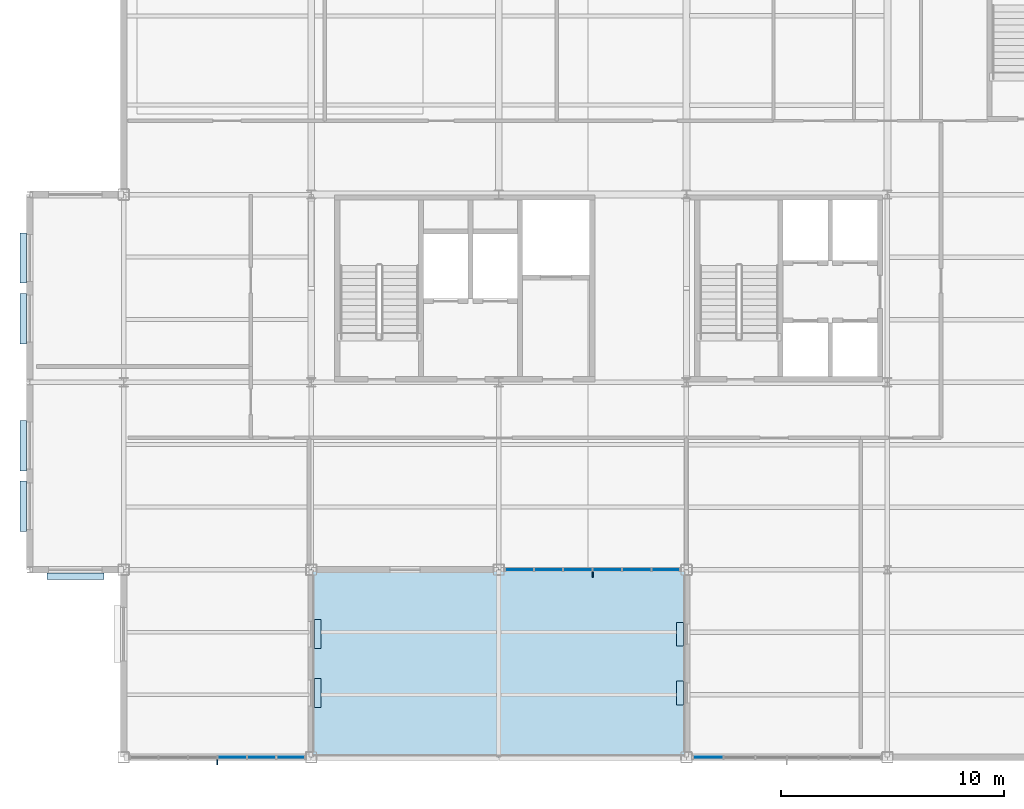
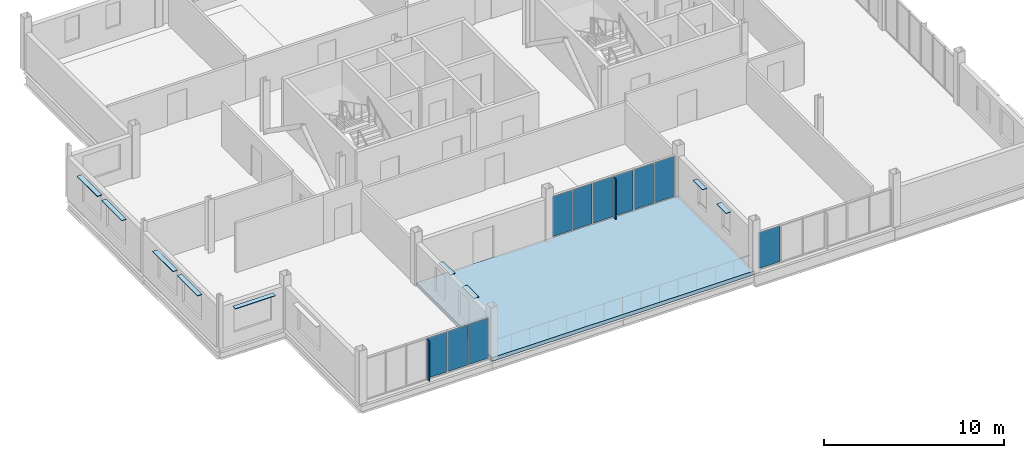
# One storey, part 10 of 20: 21 plates, 1 slab, 3 elements without a shape of their own.
"""IFC4 building model written with IfcOpenShell, lengths in metres."""

from ifc_helpers import new_model, si_unit, direction, frame, origin, origin_2d, place, context, subcontext, project, spatial, polyline, rectangle, outline, extrude, material, layer, layer_set, type_object, element, aggregate, save


model = new_model("IFC4")

# Units and contexts
model_context = context("Model", 3, precision=1e-05, world=origin(), true_north=direction((0.0, 1.0)))
body_context = subcontext(model_context, "Body", "Model", "MODEL_VIEW")
ifc_project = project(units=[si_unit("LENGTHUNIT", "METRE"), si_unit("AREAUNIT", "SQUARE_METRE"), si_unit("VOLUMEUNIT", "CUBIC_METRE"), si_unit("PLANEANGLEUNIT", "RADIAN"), si_unit("MASSUNIT", "GRAM", prefix="KILO")], contexts=[model_context])

# Site, building, storey
site_placement = place(None, origin())
site = spatial("IfcSite", under=ifc_project, at=site_placement, CompositionType="ELEMENT")
building_placement = place(site_placement, origin())
building = spatial("IfcBuilding", under=site, at=building_placement, Name="Yukiwa Park Conservatory and Herbarium", CompositionType="ELEMENT")
storey_placement = place(building_placement, frame((0.0, 0.0, 28.199951171875)))
storey = spatial("IfcBuildingStorey", under=building, at=storey_placement, Name="L07", CompositionType="ELEMENT", Elevation=28.199951171875)

# Curtain wall, plates
ifc_material_1 = material(Name="Triple Low-E Insulated Glass", Category="glass")
ifc_layer_1 = layer(ifc_material_1, 0.248046875)
ifc_layer_set_1 = layer_set([ifc_layer_1], Name="Triple Low-E Insulated Glass")
curtain_wall_type = type_object("IfcCurtainWallType", Name="CW-TOWER-LAB-S-1400", PredefinedType="NOTDEFINED", material=ifc_layer_set_1)
curtain_wall_1_placement = place(storey_placement, origin())
curtain_wall_1 = element("IfcCurtainWall", 1, at=curtain_wall_1_placement, inside=storey, type_object=curtain_wall_type, Name="L07 unitised curtain wall CW-L07-088", PredefinedType="NOTDEFINED")
ifc_material_2 = material(Name="Triple Low-E Insulated Glass", Category="glass")
ifc_layer_2 = layer(ifc_material_2, 0.035888671875)
ifc_layer_set_2 = layer_set([ifc_layer_2], Name="Triple Low-E Insulated Glass")
plate_type_1 = type_object("IfcPlateType", Name="PL-CW-GLZ-36", PredefinedType="CURTAIN_PANEL", material=ifc_layer_set_2)
plate_1_placement = place(storey_placement, frame((129.658203125, 78.0, 0.070068359375), z_axis=(0.0, 0.0, 1.0), x_axis=(1.0, 0.0, 0.0)))
plate_1 = element("IfcPlate", 2, at=plate_1_placement, type_object=plate_type_1, Name="CW-L07-088 vision panel 4.1", PredefinedType="CURTAIN_PANEL", context=body_context, shape_type="SweptSolid", body=[
    extrude(rectangle(XDim=1.24658203125, YDim=0.035888671875, at=origin_2d()), origin(), (0.0, 0.0, 1.0), 2.7119140625),
])
plate_2_placement = place(storey_placement, frame((130.97509765625, 78.0, 0.070068359375), z_axis=(0.0, 0.0, 1.0), x_axis=(1.0, 0.0, 0.0)))
plate_2 = element("IfcPlate", 3, at=plate_2_placement, type_object=plate_type_1, Name="CW-L07-088 vision panel 5.1", PredefinedType="CURTAIN_PANEL", context=body_context, shape_type="SweptSolid", body=[
    extrude(rectangle(XDim=1.24658203125, YDim=0.035888671875, at=origin_2d()), origin(), (0.0, 0.0, 1.0), 2.7119140625),
])
plate_3_placement = place(storey_placement, frame((132.291748046875, 78.0, 0.070068359375), z_axis=(0.0, 0.0, 1.0), x_axis=(1.0, 0.0, 0.0)))
plate_3 = element("IfcPlate", 4, at=plate_3_placement, type_object=plate_type_1, Name="CW-L07-088 vision panel 6.1", PredefinedType="CURTAIN_PANEL", context=body_context, shape_type="SweptSolid", body=[
    extrude(rectangle(XDim=1.24658203125, YDim=0.035888671875, at=origin_2d()), origin(), (0.0, 0.0, 1.0), 2.7119140625),
])
aggregate(curtain_wall_1, [plate_1, plate_2, plate_3])

curtain_wall_2_placement = place(storey_placement, origin())
curtain_wall_2 = element("IfcCurtainWall", 5, at=curtain_wall_2_placement, inside=storey, type_object=curtain_wall_type, Name="L07 unitised curtain wall CW-L07-089", PredefinedType="NOTDEFINED")
plate_4_placement = place(storey_placement, frame((142.50830078125, 86.39990234375, 0.070068359375), z_axis=(0.0, 0.0, 1.0), x_axis=(1.0, 0.0, 0.0)))
plate_4 = element("IfcPlate", 6, at=plate_4_placement, type_object=plate_type_1, Name="CW-L07-089 vision panel 1.1", PredefinedType="CURTAIN_PANEL", context=body_context, shape_type="SweptSolid", body=[
    extrude(rectangle(XDim=1.24658203125, YDim=0.035888671875, at=origin_2d()), origin(), (0.0, 0.0, 1.0), 2.7119140625),
])
plate_5_placement = place(storey_placement, frame((143.824951171875, 86.39990234375, 0.070068359375), z_axis=(0.0, 0.0, 1.0), x_axis=(1.0, 0.0, 0.0)))
plate_5 = element("IfcPlate", 7, at=plate_5_placement, type_object=plate_type_1, Name="CW-L07-089 vision panel 2.1", PredefinedType="CURTAIN_PANEL", context=body_context, shape_type="SweptSolid", body=[
    extrude(rectangle(XDim=1.24658203125, YDim=0.035888671875, at=origin_2d()), origin(), (0.0, 0.0, 1.0), 2.7119140625),
])
plate_6_placement = place(storey_placement, frame((145.1416015625, 86.39990234375, 0.070068359375), z_axis=(0.0, 0.0, 1.0), x_axis=(1.0, 0.0, 0.0)))
plate_6 = element("IfcPlate", 8, at=plate_6_placement, type_object=plate_type_1, Name="CW-L07-089 vision panel 3.1", PredefinedType="CURTAIN_PANEL", context=body_context, shape_type="SweptSolid", body=[
    extrude(rectangle(XDim=1.24658203125, YDim=0.035888671875, at=origin_2d()), origin(), (0.0, 0.0, 1.0), 2.7119140625),
])
plate_7_placement = place(storey_placement, frame((146.458251953125, 86.39990234375, 0.070068359375), z_axis=(0.0, 0.0, 1.0), x_axis=(1.0, 0.0, 0.0)))
plate_7 = element("IfcPlate", 9, at=plate_7_placement, type_object=plate_type_1, Name="CW-L07-089 vision panel 4.1", PredefinedType="CURTAIN_PANEL", context=body_context, shape_type="SweptSolid", body=[
    extrude(rectangle(XDim=1.24658203125, YDim=0.035888671875, at=origin_2d()), origin(), (0.0, 0.0, 1.0), 2.7119140625),
])
plate_8_placement = place(storey_placement, frame((147.77490234375, 86.39990234375, 0.070068359375), z_axis=(0.0, 0.0, 1.0), x_axis=(1.0, 0.0, 0.0)))
plate_8 = element("IfcPlate", 10, at=plate_8_placement, type_object=plate_type_1, Name="CW-L07-089 vision panel 5.1", PredefinedType="CURTAIN_PANEL", context=body_context, shape_type="SweptSolid", body=[
    extrude(rectangle(XDim=1.24658203125, YDim=0.035888671875, at=origin_2d()), origin(), (0.0, 0.0, 1.0), 2.7119140625),
])
plate_9_placement = place(storey_placement, frame((149.091796875, 86.39990234375, 0.070068359375), z_axis=(0.0, 0.0, 1.0), x_axis=(1.0, 0.0, 0.0)))
plate_9 = element("IfcPlate", 11, at=plate_9_placement, type_object=plate_type_1, Name="CW-L07-089 vision panel 6.1", PredefinedType="CURTAIN_PANEL", context=body_context, shape_type="SweptSolid", body=[
    extrude(rectangle(XDim=1.24658203125, YDim=0.035888671875, at=origin_2d()), origin(), (0.0, 0.0, 1.0), 2.7119140625),
])
aggregate(curtain_wall_2, [plate_4, plate_5, plate_6, plate_7, plate_8, plate_9])

# Curtain wall, plate
curtain_wall_3_placement = place(storey_placement, origin())
curtain_wall_3 = element("IfcCurtainWall", 12, at=curtain_wall_3_placement, inside=storey, type_object=curtain_wall_type, Name="L07 unitised curtain wall CW-L07-090", PredefinedType="NOTDEFINED")
plate_10_placement = place(storey_placement, frame((150.958251953125, 78.0, 0.070068359375), z_axis=(0.0, 0.0, 1.0), x_axis=(1.0, 0.0, 0.0)))
plate_10 = element("IfcPlate", 13, at=plate_10_placement, type_object=plate_type_1, Name="CW-L07-090 vision panel 1.1", PredefinedType="CURTAIN_PANEL", context=body_context, shape_type="SweptSolid", body=[
    extrude(rectangle(XDim=1.3466796875, YDim=0.035888671875, at=origin_2d()), origin(), (0.0, 0.0, 1.0), 2.419921875),
])
aggregate(curtain_wall_3, [plate_10])

# Plates
ifc_material_3 = material(Name="Anodised Aluminium", Category="aluminium")
ifc_layer_3 = layer(ifc_material_3, 0.050048828125)
ifc_layer_set_3 = layer_set([ifc_layer_3], Name="Anodised Aluminium")
plate_type_2 = type_object("IfcPlateType", Name="PL-FIN-ALU-50", PredefinedType="USERDEFINED", material=ifc_layer_set_3)
for number, where, z_axis, x_axis, name in (
    (14, (129.0, 77.81005859375, 0.06005859375), (0.0, 0.0, 1.0), (1.0, 0.0, 0.0), "CW-L07-088 exterior vertical shading fin"),
    (15, (145.800048828125, 86.2099609375, 0.06005859375), (0.0, 0.0, 1.0), (1.0, 0.0, 0.0), "CW-L07-089 exterior vertical shading fin"),
):
    element("IfcPlate", number, at=place(storey_placement, frame(where, z_axis=z_axis, x_axis=x_axis)), inside=storey, type_object=plate_type_2, Name=name, ObjectType="SHADING FIN", PredefinedType="USERDEFINED", context=body_context, shape_type="SweptSolid", body=[
        extrude(rectangle(XDim=0.050048828125, YDim=0.280029296875, at=origin_2d()), origin(), (0.0, 0.0, 1.0), 2.73193359375),
    ])
ifc_material_4 = material(Name="Anodised Aluminium", Category="aluminium")
ifc_layer_4 = layer(ifc_material_4, 0.0400390625)
ifc_layer_set_4 = layer_set([ifc_layer_4], Name="Anodised Aluminium")
plate_type_3 = type_object("IfcPlateType", Name="PL-SHADE-ALU-40", PredefinedType="SHEET", material=ifc_layer_set_4)
for number, where, z_axis, x_axis, name in (
    (16, (133.489990234375, 80.883056640625, 2.590087890625), (0.0, 0.0, 1.0), (0.0, 1.0, 0.0), "L07 snow-shedding window hood 155"),
    (17, (133.489990234375, 83.51708984375, 2.590087890625), (0.0, 0.0, 1.0), (0.0, 1.0, 0.0), "L07 snow-shedding window hood 156"),
):
    element("IfcPlate", number, at=place(storey_placement, frame(where, z_axis=z_axis, x_axis=x_axis)), inside=storey, type_object=plate_type_3, Name=name, PredefinedType="SHEET", context=body_context, shape_type="SweptSolid", body=[
        extrude(rectangle(XDim=1.31005859375, YDim=0.300048828125, at=origin_2d()), origin(), (0.0, 0.0, 1.0), 0.0400390625),
    ])
for number, where, z_axis, x_axis, name in (
    (18, (149.7099609375, 83.51708984375, 2.590087890625), (0.0, 0.0, 1.0), (0.0, -1.0, 0.0), "L07 snow-shedding window hood 157"),
    (19, (149.7099609375, 80.883056640625, 2.590087890625), (0.0, 0.0, 1.0), (0.0, -1.0, 0.0), "L07 snow-shedding window hood 158"),
):
    element("IfcPlate", number, at=place(storey_placement, frame(where, z_axis=z_axis, x_axis=x_axis)), inside=storey, type_object=plate_type_3, Name=name, PredefinedType="SHEET", context=body_context, shape_type="SweptSolid", body=[
        extrude(rectangle(XDim=1.06005859375, YDim=0.300048828125, at=origin_2d()), origin(), (0.0, 0.0, 1.0), 0.0400390625),
    ])
for number, where, z_axis, x_axis, name in (
    (20, (120.31005859375, 100.35791015625, 2.590087890625), (0.0, 0.0, 1.0), (0.0, -1.0, 0.0), "L07 snow-shedding window hood 161"),
    (21, (120.31005859375, 97.64208984375, 2.590087890625), (0.0, 0.0, 1.0), (0.0, -1.0, 0.0), "L07 snow-shedding window hood 162"),
    (22, (120.31005859375, 91.9580078125, 2.590087890625), (0.0, 0.0, 1.0), (0.0, -1.0, 0.0), "L07 snow-shedding window hood 163"),
    (23, (120.31005859375, 89.241943359375, 2.590087890625), (0.0, 0.0, 1.0), (0.0, -1.0, 0.0), "L07 snow-shedding window hood 164"),
):
    element("IfcPlate", number, at=place(storey_placement, frame(where, z_axis=z_axis, x_axis=x_axis)), inside=storey, type_object=plate_type_3, Name=name, PredefinedType="SHEET", context=body_context, shape_type="SweptSolid", body=[
        extrude(rectangle(XDim=2.260009765625, YDim=0.300048828125, at=origin_2d()), origin(), (0.0, 0.0, 1.0), 0.0400390625),
    ])
plate_11_placement = place(storey_placement, frame((122.637939453125, 86.110107421875, 2.60009765625), z_axis=(0.0, 0.0, 1.0), x_axis=(1.0, 0.0, 0.0)))
element("IfcPlate", 24, at=plate_11_placement, inside=storey, type_object=plate_type_3, Name="L07 snow-shedding window hood 165", PredefinedType="SHEET", context=body_context, shape_type="SweptSolid", body=[
    extrude(rectangle(XDim=2.56005859375, YDim=0.300048828125, at=origin_2d()), origin(), (0.0, 0.0, 1.0), 0.0400390625),
])

# Slab
ifc_material_5 = material(Name="Concrete C40", Category="concrete")
ifc_layer_5 = layer(ifc_material_5, 0.2548828125)
ifc_layer_set_5 = layer_set([ifc_layer_5], Name="Concrete C40")
slab_type = type_object("IfcSlabType", Name="SL-TER-255", PredefinedType="ROOF", material=ifc_layer_set_5)
slab_placement = place(storey_placement, frame((0.0, 0.0, -0.2548828125)))
element("IfcSlab", 25, at=slab_placement, inside=storey, type_object=slab_type, Name="L07 Sky Terrace Court Notch slab", PredefinedType="ROOF", context=body_context, shape_type="SweptSolid", body=[
    extrude(outline(polyline([(133.199951171875, 78.0), (133.199951171875, 86.39990234375), (150.0, 86.39990234375), (150.0, 78.0), (133.199951171875, 78.0)])), origin(), (0.0, 0.0, 1.0), 0.2548828125),
])

save(model, "model.ifc")
